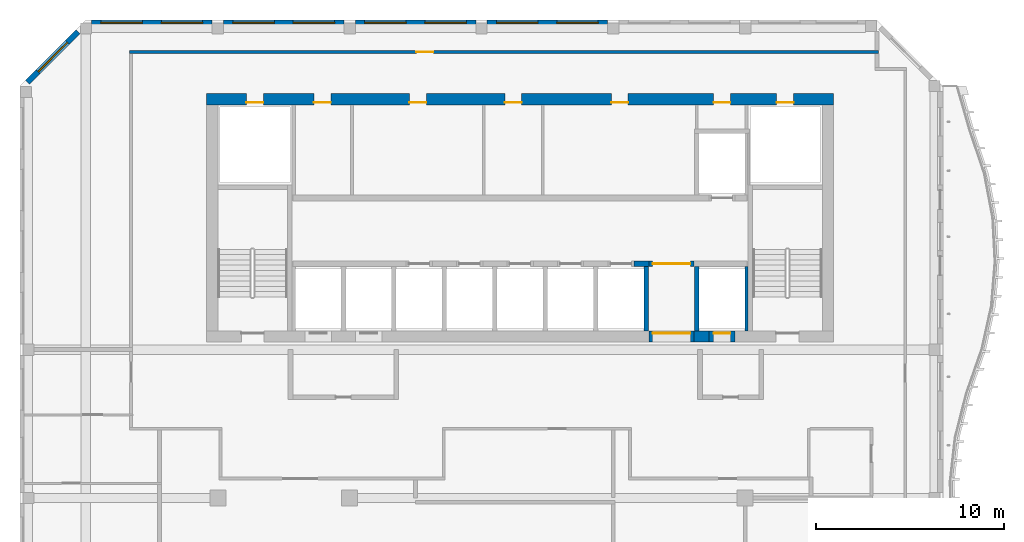
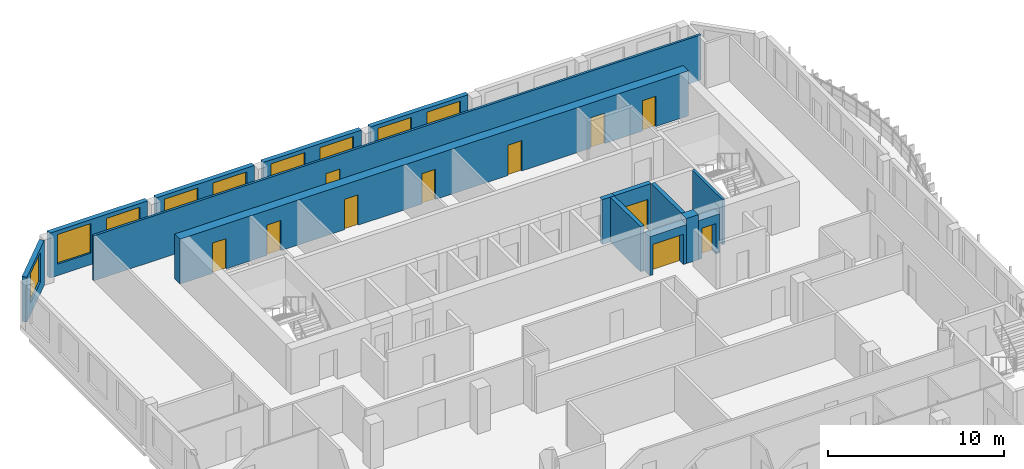
# One storey, part 7 of 17: 15 walls, 11 doors, 9 windows, 20 openings.
"""IFC4 building model written with IfcOpenShell, lengths in metres."""

from ifc_helpers import new_model, si_unit, direction, frame, frame_2d, origin, place, context, subcontext, project, spatial, rectangle, extrude, source, transform, mapped, material, layer, layer_set, type_object, element, fill, save


model = new_model("IFC4")

# Units and contexts
model_context = context("Model", 3, precision=1e-05, world=origin(), true_north=direction((0.0, 1.0)))
body_context = subcontext(model_context, "Body", "Model", "MODEL_VIEW")
ifc_project = project(units=[si_unit("LENGTHUNIT", "METRE"), si_unit("AREAUNIT", "SQUARE_METRE"), si_unit("VOLUMEUNIT", "CUBIC_METRE"), si_unit("PLANEANGLEUNIT", "RADIAN"), si_unit("MASSUNIT", "GRAM", prefix="KILO")], contexts=[model_context])

# Site, building, storey
site_placement = place(None, origin())
site = spatial("IfcSite", under=ifc_project, at=site_placement, CompositionType="ELEMENT")
building_placement = place(site_placement, origin())
building = spatial("IfcBuilding", under=site, at=building_placement, Name="Kilnfold Tower and Market Hall", CompositionType="ELEMENT")
storey_placement = place(building_placement, frame((0.0, 0.0, 298.39990234375)))
storey = spatial("IfcBuildingStorey", under=building, at=storey_placement, Name="L74", CompositionType="ELEMENT", Elevation=298.39990234375)

# Wall, opening, door
ifc_material_1 = material(Name="Gypsum board on steel studs", Category="steel")
ifc_layer_1 = layer(ifc_material_1, 0.14990234375)
ifc_layer_set_1 = layer_set([ifc_layer_1], Name="Gypsum board on steel studs")
wall_type_1 = type_object("IfcWallType", Name="WALL CORRIDOR 150", PredefinedType="PARTITIONING", material=ifc_layer_set_1)
wall_1_placement = place(storey_placement, frame((20.087890625, 23.800048828125, 0.0), z_axis=(0.0, 0.0, 1.0), x_axis=(-1.0, 0.0, 0.0)))
wall_1 = element("IfcWall", 1, at=wall_1_placement, inside=storey, type_object=wall_type_1, Name="Partition LY45.8", PredefinedType="PARTITIONING", context=body_context, shape_type="SweptSolid", body=[
    extrude(rectangle(XDim=39.762939453125, YDim=0.14990234375, at=frame_2d((19.88134765625, 0.0))), origin(), (0.0, 0.0, 1.0), 3.1201171875),
])
opening_1_placement = place(wall_1_placement, frame((23.637939453125, 0.0, 0.0)))
opening_1 = element("IfcOpeningElement", 2, at=opening_1_placement, cuts=wall_1, Name="Opening D2", PredefinedType="OPENING", context=body_context, shape_type="SweptSolid", body=[
    extrude(rectangle(XDim=0.89990234375, YDim=2.10009765625, at=frame_2d((0.449951171875, 1.050048828125))), frame((0.0, 0.0849609375, 0.0), z_axis=(0.0, -1.0, 0.0), x_axis=(1.0, 0.0, 0.0)), (0.0, 0.0, 1.0), 0.169921875),
])
ifc_material_2 = material(Name="Timber veneer door leaf in steel frame", Category="steel")
door_type_1 = type_object("IfcDoorType", Name="DOOR ROOM 900 X2100", OperationType="NOTDEFINED", PredefinedType="DOOR", material=ifc_material_2)
door_1_placement = place(opening_1_placement, origin())
door_1 = element("IfcDoor", 3, at=door_1_placement, inside=storey, type_object=door_type_1, Name="Door D2", OperationType="SINGLE_SWING_LEFT", OverallHeight=2.10009765625, OverallWidth=0.89990234375, PredefinedType="DOOR", context=body_context, shape_type="SweptSolid", body=[
    extrude(rectangle(XDim=0.89990234375, YDim=2.10009765625, at=frame_2d((0.449951171875, 1.050048828125))), frame((0.0, 0.02490234375, 0.0), z_axis=(0.0, -1.0, 0.0), x_axis=(1.0, 0.0, 0.0)), (0.0, 0.0, 1.0), 0.050048828125),
])
fill(opening_1, door_1)

# Walls
ifc_material_3 = material(Name="Concrete C50", Category="concrete")
ifc_layer_2 = layer(ifc_material_3, 0.300048828125)
ifc_layer_set_2 = layer_set([ifc_layer_2], Name="Concrete C50")
wall_type_2 = type_object("IfcWallType", Name="CORE WALL 300 C50", PredefinedType="SHEAR", material=ifc_layer_set_2)
shared_shape_1 = source(origin(), body_context, "Body", "SweptSolid", [
    extrude(rectangle(XDim=0.77978515625, YDim=0.300048828125, at=frame_2d((0.389892578125, 0.0))), origin(), (0.0, 0.0, 1.0), 3.1201171875),
])
wall_2_placement = place(storey_placement, frame((7.110107421875, 12.550048828125, 0.0), z_axis=(0.0, 0.0, 1.0), x_axis=(1.0, 0.0, 0.0)))
element("IfcWall", 4, at=wall_2_placement, inside=storey, type_object=wall_type_2, Name="Core spine wall", PredefinedType="SHEAR", context=body_context, shape_type="MappedRepresentation", body=[
    mapped(shared_shape_1, transform((0.0, 0.0, 0.0))),
])
ifc_material_4 = material(Name="Concrete C50", Category="concrete")
ifc_layer_3 = layer(ifc_material_4, 0.60009765625)
ifc_layer_set_3 = layer_set([ifc_layer_3], Name="Concrete C50")
wall_type_3 = type_object("IfcWallType", Name="CORE WALL 600 C50", PredefinedType="SHEAR", material=ifc_layer_set_3)
shared_shape_2 = source(origin(), body_context, "Body", "SweptSolid", [
    extrude(rectangle(XDim=0.780029296875, YDim=0.60009765625, at=frame_2d((0.39013671875, 0.0))), origin(), (0.0, 0.0, 1.0), 3.1201171875),
])
wall_3_placement = place(storey_placement, frame((10.2900390625, 8.699951171875, 0.0), z_axis=(0.0, 0.0, 1.0), x_axis=(1.0, 0.0, 0.0)))
element("IfcWall", 5, at=wall_3_placement, inside=storey, type_object=wall_type_3, Name="Core outer wall south", PredefinedType="SHEAR", context=body_context, shape_type="MappedRepresentation", body=[
    mapped(shared_shape_2, transform((0.0, 0.0, 0.0))),
])

# Wall, openings, doors
shared_shape_3 = source(origin(), body_context, "Body", "SweptSolid", [
    extrude(rectangle(XDim=33.300048828125, YDim=0.60009765625, at=frame_2d((16.64990234375, 0.0))), origin(), (0.0, 0.0, 1.0), 3.1201171875),
])
wall_4_placement = place(storey_placement, frame((-15.60009765625, 21.300048828125, 0.0), z_axis=(0.0, 0.0, 1.0), x_axis=(1.0, 0.0, 0.0)))
wall_4 = element("IfcWall", 6, at=wall_4_placement, inside=storey, type_object=wall_type_3, Name="Core outer wall north", PredefinedType="SHEAR", context=body_context, shape_type="MappedRepresentation", body=[
    mapped(shared_shape_3, transform((0.0, 0.0, 0.0))),
])
opening_2_placement = place(wall_4_placement, frame((5.707763671875, 0.0, 0.0)))
opening_2 = element("IfcOpeningElement", 7, at=opening_2_placement, cuts=wall_4, Name="Opening KD1", PredefinedType="OPENING", context=body_context, shape_type="SweptSolid", body=[
    extrude(rectangle(XDim=0.89990234375, YDim=2.10009765625, at=frame_2d((0.449951171875, 1.050048828125))), frame((0.0, 0.31005859375, 0.0), z_axis=(0.0, -1.0, 0.0), x_axis=(1.0, 0.0, 0.0)), (0.0, 0.0, 1.0), 0.6201171875),
])
opening_3_placement = place(wall_4_placement, frame((10.77294921875, 0.0, 0.0)))
opening_3 = element("IfcOpeningElement", 8, at=opening_3_placement, cuts=wall_4, Name="Opening KD1", PredefinedType="OPENING", context=body_context, shape_type="SweptSolid", body=[
    extrude(rectangle(XDim=0.89990234375, YDim=2.10009765625, at=frame_2d((0.449951171875, 1.050048828125))), frame((0.0, 0.31005859375, 0.0), z_axis=(0.0, -1.0, 0.0), x_axis=(1.0, 0.0, 0.0)), (0.0, 0.0, 1.0), 0.6201171875),
])
opening_4_placement = place(wall_4_placement, frame((15.838134765625, 0.0, 0.0)))
opening_4 = element("IfcOpeningElement", 9, at=opening_4_placement, cuts=wall_4, Name="Opening KD1", PredefinedType="OPENING", context=body_context, shape_type="SweptSolid", body=[
    extrude(rectangle(XDim=0.89990234375, YDim=2.10009765625, at=frame_2d((0.449951171875, 1.050048828125))), frame((0.0, 0.31005859375, 0.0), z_axis=(0.0, -1.0, 0.0), x_axis=(1.0, 0.0, 0.0)), (0.0, 0.0, 1.0), 0.6201171875),
])
opening_5_placement = place(wall_4_placement, frame((21.492919921875, 0.0, 0.0)))
opening_5 = element("IfcOpeningElement", 10, at=opening_5_placement, cuts=wall_4, Name="Opening KD1", PredefinedType="OPENING", context=body_context, shape_type="SweptSolid", body=[
    extrude(rectangle(XDim=0.89990234375, YDim=2.10009765625, at=frame_2d((0.449951171875, 1.050048828125))), frame((0.0, 0.31005859375, 0.0), z_axis=(0.0, -1.0, 0.0), x_axis=(1.0, 0.0, 0.0)), (0.0, 0.0, 1.0), 0.6201171875),
])
opening_6_placement = place(wall_4_placement, frame((26.919921875, 0.0, 0.0)))
opening_6 = element("IfcOpeningElement", 11, at=opening_6_placement, cuts=wall_4, Name="Opening KD1", PredefinedType="OPENING", context=body_context, shape_type="SweptSolid", body=[
    extrude(rectangle(XDim=0.89990234375, YDim=2.10009765625, at=frame_2d((0.449951171875, 1.050048828125))), frame((0.0, 0.31005859375, 0.0), z_axis=(0.0, -1.0, 0.0), x_axis=(1.0, 0.0, 0.0)), (0.0, 0.0, 1.0), 0.6201171875),
])
opening_7_placement = place(wall_4_placement, frame((2.125, 0.0, 0.0)))
opening_7 = element("IfcOpeningElement", 12, at=opening_7_placement, cuts=wall_4, Name="Opening KD1", PredefinedType="OPENING", context=body_context, shape_type="SweptSolid", body=[
    extrude(rectangle(XDim=0.89990234375, YDim=2.10009765625, at=frame_2d((0.449951171875, 1.050048828125))), frame((0.0, 0.31005859375, 0.0), z_axis=(0.0, -1.0, 0.0), x_axis=(1.0, 0.0, 0.0)), (0.0, 0.0, 1.0), 0.6201171875),
])
opening_8_placement = place(wall_4_placement, frame((30.27490234375, 0.0, 0.0)))
opening_8 = element("IfcOpeningElement", 13, at=opening_8_placement, cuts=wall_4, Name="Opening KD1", PredefinedType="OPENING", context=body_context, shape_type="SweptSolid", body=[
    extrude(rectangle(XDim=0.89990234375, YDim=2.10009765625, at=frame_2d((0.449951171875, 1.050048828125))), frame((0.0, 0.31005859375, 0.0), z_axis=(0.0, -1.0, 0.0), x_axis=(1.0, 0.0, 0.0)), (0.0, 0.0, 1.0), 0.6201171875),
])
ifc_material_5 = material(Name="Steel door set with fire-resisting leaf", Category="steel")
door_type_2 = type_object("IfcDoorType", Name="SERVICE DOOR 900X2100", OperationType="NOTDEFINED", PredefinedType="DOOR", material=ifc_material_5)
door_2_placement = place(opening_2_placement, origin())
door_2 = element("IfcDoor", 14, at=door_2_placement, inside=storey, type_object=door_type_2, Name="Core service door", OperationType="SINGLE_SWING_RIGHT", OverallHeight=2.10009765625, OverallWidth=0.89990234375, PredefinedType="DOOR", context=body_context, shape_type="SweptSolid", body=[
    extrude(rectangle(XDim=0.89990234375, YDim=2.10009765625, at=frame_2d((0.449951171875, 1.050048828125))), frame((0.0, -0.15478515625, 0.0), z_axis=(0.0, -1.0, 0.0), x_axis=(1.0, 0.0, 0.0)), (0.0, 0.0, 1.0), 0.050048828125),
])
fill(opening_2, door_2)
door_3_placement = place(opening_3_placement, origin())
door_3 = element("IfcDoor", 15, at=door_3_placement, inside=storey, type_object=door_type_2, Name="Core service door", OperationType="SINGLE_SWING_LEFT", OverallHeight=2.10009765625, OverallWidth=0.89990234375, PredefinedType="DOOR", context=body_context, shape_type="SweptSolid", body=[
    extrude(rectangle(XDim=0.89990234375, YDim=2.10009765625, at=frame_2d((0.449951171875, 1.050048828125))), frame((0.0, -0.15478515625, 0.0), z_axis=(0.0, -1.0, 0.0), x_axis=(1.0, 0.0, 0.0)), (0.0, 0.0, 1.0), 0.050048828125),
])
fill(opening_3, door_3)
door_4_placement = place(opening_4_placement, origin())
door_4 = element("IfcDoor", 16, at=door_4_placement, inside=storey, type_object=door_type_2, Name="Core service door", OperationType="SINGLE_SWING_RIGHT", OverallHeight=2.10009765625, OverallWidth=0.89990234375, PredefinedType="DOOR", context=body_context, shape_type="SweptSolid", body=[
    extrude(rectangle(XDim=0.89990234375, YDim=2.10009765625, at=frame_2d((0.449951171875, 1.050048828125))), frame((0.0, -0.15478515625, 0.0), z_axis=(0.0, -1.0, 0.0), x_axis=(1.0, 0.0, 0.0)), (0.0, 0.0, 1.0), 0.050048828125),
])
fill(opening_4, door_4)
door_5_placement = place(opening_5_placement, origin())
door_5 = element("IfcDoor", 17, at=door_5_placement, inside=storey, type_object=door_type_2, Name="Core service door", OperationType="SINGLE_SWING_LEFT", OverallHeight=2.10009765625, OverallWidth=0.89990234375, PredefinedType="DOOR", context=body_context, shape_type="SweptSolid", body=[
    extrude(rectangle(XDim=0.89990234375, YDim=2.10009765625, at=frame_2d((0.449951171875, 1.050048828125))), frame((0.0, -0.15478515625, 0.0), z_axis=(0.0, -1.0, 0.0), x_axis=(1.0, 0.0, 0.0)), (0.0, 0.0, 1.0), 0.050048828125),
])
fill(opening_5, door_5)
door_6_placement = place(opening_6_placement, origin())
door_6 = element("IfcDoor", 18, at=door_6_placement, inside=storey, type_object=door_type_2, Name="Core service door", OperationType="SINGLE_SWING_RIGHT", OverallHeight=2.10009765625, OverallWidth=0.89990234375, PredefinedType="DOOR", context=body_context, shape_type="SweptSolid", body=[
    extrude(rectangle(XDim=0.89990234375, YDim=2.10009765625, at=frame_2d((0.449951171875, 1.050048828125))), frame((0.0, -0.15478515625, 0.0), z_axis=(0.0, -1.0, 0.0), x_axis=(1.0, 0.0, 0.0)), (0.0, 0.0, 1.0), 0.050048828125),
])
fill(opening_6, door_6)
door_7_placement = place(opening_7_placement, origin())
door_7 = element("IfcDoor", 19, at=door_7_placement, inside=storey, type_object=door_type_2, Name="Electrical riser access door", OperationType="SINGLE_SWING_LEFT", OverallHeight=2.10009765625, OverallWidth=0.89990234375, PredefinedType="DOOR", context=body_context, shape_type="SweptSolid", body=[
    extrude(rectangle(XDim=0.89990234375, YDim=2.10009765625, at=frame_2d((0.449951171875, 1.050048828125))), frame((0.0, -0.15478515625, 0.0), z_axis=(0.0, -1.0, 0.0), x_axis=(1.0, 0.0, 0.0)), (0.0, 0.0, 1.0), 0.050048828125),
])
fill(opening_7, door_7)
door_8_placement = place(opening_8_placement, origin())
door_8 = element("IfcDoor", 20, at=door_8_placement, inside=storey, type_object=door_type_2, Name="Mechanical riser access door", OperationType="SINGLE_SWING_RIGHT", OverallHeight=2.10009765625, OverallWidth=0.89990234375, PredefinedType="DOOR", context=body_context, shape_type="SweptSolid", body=[
    extrude(rectangle(XDim=0.89990234375, YDim=2.10009765625, at=frame_2d((0.449951171875, 1.050048828125))), frame((0.0, -0.15478515625, 0.0), z_axis=(0.0, -1.0, 0.0), x_axis=(1.0, 0.0, 0.0)), (0.0, 0.0, 1.0), 0.050048828125),
])
fill(opening_8, door_8)

# Wall, openings, windows
ifc_material_6 = material(Name="Precast concrete C50/60", Category="concrete")
ifc_layer_4 = layer(ifc_material_6, 0.300048828125)
ifc_layer_set_4 = layer_set([ifc_layer_4], Name="Precast concrete C50/60")
wall_type_4 = type_object("IfcWallType", Name="PRECAST WALL 300", PredefinedType="SOLIDWALL", material=ifc_layer_set_4)
shared_shape_4 = source(origin(), body_context, "Body", "SweptSolid", [
    extrude(rectangle(XDim=6.39990234375, YDim=0.300048828125, at=frame_2d((3.199951171875, 0.0))), origin(), (0.0, 0.0, 1.0), 3.1201171875),
])
wall_5_placement = place(storey_placement, frame((5.699951171875, 25.35009765625, 0.0), z_axis=(0.0, 0.0, 1.0), x_axis=(-1.0, 0.0, 0.0)))
wall_5 = element("IfcWall", 21, at=wall_5_placement, inside=storey, type_object=wall_type_4, Name="External wall L74 N", PredefinedType="SOLIDWALL", context=body_context, shape_type="MappedRepresentation", body=[
    mapped(shared_shape_4, transform((0.0, 0.0, 0.0))),
])
opening_9_placement = place(wall_5_placement, frame((0.5, 0.0, 0.800048828125)))
opening_9 = element("IfcOpeningElement", 22, at=opening_9_placement, cuts=wall_5, Name="Opening W3", PredefinedType="OPENING", context=body_context, shape_type="SweptSolid", body=[
    extrude(rectangle(XDim=2.199951171875, YDim=2.050048828125, at=frame_2d((1.10009765625, 1.02490234375))), frame((0.0, 0.16015625, 0.0), z_axis=(0.0, -1.0, 0.0), x_axis=(1.0, 0.0, 0.0)), (0.0, 0.0, 1.0), 0.320068359375),
])
opening_10_placement = place(wall_5_placement, frame((3.699951171875, 0.0, 0.800048828125)))
opening_10 = element("IfcOpeningElement", 23, at=opening_10_placement, cuts=wall_5, Name="Opening W3", PredefinedType="OPENING", context=body_context, shape_type="SweptSolid", body=[
    extrude(rectangle(XDim=2.199951171875, YDim=2.050048828125, at=frame_2d((1.10009765625, 1.02490234375))), frame((0.0, 0.16015625, 0.0), z_axis=(0.0, -1.0, 0.0), x_axis=(1.0, 0.0, 0.0)), (0.0, 0.0, 1.0), 0.320068359375),
])
ifc_material_7 = material(Name="Aluminium frame and double glazing", Category="aluminium")
window_type = type_object("IfcWindowType", Name="WINDOW W3 2200X2050", PartitioningType="SINGLE_PANEL", PredefinedType="WINDOW", material=ifc_material_7)
window_1_placement = place(opening_9_placement, origin())
window_1 = element("IfcWindow", 24, at=window_1_placement, inside=storey, type_object=window_type, Name="Window W3 L74 N-1", OverallHeight=2.050048828125, OverallWidth=2.199951171875, PartitioningType="SINGLE_PANEL", PredefinedType="WINDOW", context=body_context, shape_type="SweptSolid", body=[
    extrude(rectangle(XDim=2.199951171875, YDim=2.050048828125, at=frame_2d((1.10009765625, 1.02490234375))), frame((0.0, 0.030029296875, 0.0), z_axis=(0.0, -1.0, 0.0), x_axis=(1.0, 0.0, 0.0)), (0.0, 0.0, 1.0), 0.06005859375),
])
fill(opening_9, window_1)
window_2_placement = place(opening_10_placement, origin())
window_2 = element("IfcWindow", 25, at=window_2_placement, inside=storey, type_object=window_type, Name="Window W3 L74 N-2", OverallHeight=2.050048828125, OverallWidth=2.199951171875, PartitioningType="SINGLE_PANEL", PredefinedType="WINDOW", context=body_context, shape_type="SweptSolid", body=[
    extrude(rectangle(XDim=2.199951171875, YDim=2.050048828125, at=frame_2d((1.10009765625, 1.02490234375))), frame((0.0, 0.030029296875, 0.0), z_axis=(0.0, -1.0, 0.0), x_axis=(1.0, 0.0, 0.0)), (0.0, 0.0, 1.0), 0.06005859375),
])
fill(opening_10, window_2)

wall_6_placement = place(storey_placement, frame((-1.300048828125, 25.35009765625, 0.0), z_axis=(0.0, 0.0, 1.0), x_axis=(-1.0, 0.0, 0.0)))
wall_6 = element("IfcWall", 26, at=wall_6_placement, inside=storey, type_object=wall_type_4, Name="External wall L74 N", PredefinedType="SOLIDWALL", context=body_context, shape_type="MappedRepresentation", body=[
    mapped(shared_shape_4, transform((0.0, 0.0, 0.0))),
])
opening_11_placement = place(wall_6_placement, frame((0.5, 0.0, 0.800048828125)))
opening_11 = element("IfcOpeningElement", 27, at=opening_11_placement, cuts=wall_6, Name="Opening W3", PredefinedType="OPENING", context=body_context, shape_type="SweptSolid", body=[
    extrude(rectangle(XDim=2.199951171875, YDim=2.050048828125, at=frame_2d((1.10009765625, 1.02490234375))), frame((0.0, 0.16015625, 0.0), z_axis=(0.0, -1.0, 0.0), x_axis=(1.0, 0.0, 0.0)), (0.0, 0.0, 1.0), 0.320068359375),
])
opening_12_placement = place(wall_6_placement, frame((3.699951171875, 0.0, 0.800048828125)))
opening_12 = element("IfcOpeningElement", 28, at=opening_12_placement, cuts=wall_6, Name="Opening W3", PredefinedType="OPENING", context=body_context, shape_type="SweptSolid", body=[
    extrude(rectangle(XDim=2.199951171875, YDim=2.050048828125, at=frame_2d((1.10009765625, 1.02490234375))), frame((0.0, 0.16015625, 0.0), z_axis=(0.0, -1.0, 0.0), x_axis=(1.0, 0.0, 0.0)), (0.0, 0.0, 1.0), 0.320068359375),
])
window_3_placement = place(opening_11_placement, origin())
window_3 = element("IfcWindow", 29, at=window_3_placement, inside=storey, type_object=window_type, Name="Window W3 L74 N-1", OverallHeight=2.050048828125, OverallWidth=2.199951171875, PartitioningType="SINGLE_PANEL", PredefinedType="WINDOW", context=body_context, shape_type="SweptSolid", body=[
    extrude(rectangle(XDim=2.199951171875, YDim=2.050048828125, at=frame_2d((1.10009765625, 1.02490234375))), frame((0.0, 0.030029296875, 0.0), z_axis=(0.0, -1.0, 0.0), x_axis=(1.0, 0.0, 0.0)), (0.0, 0.0, 1.0), 0.06005859375),
])
fill(opening_11, window_3)
window_4_placement = place(opening_12_placement, origin())
window_4 = element("IfcWindow", 30, at=window_4_placement, inside=storey, type_object=window_type, Name="Window W3 L74 N-2", OverallHeight=2.050048828125, OverallWidth=2.199951171875, PartitioningType="SINGLE_PANEL", PredefinedType="WINDOW", context=body_context, shape_type="SweptSolid", body=[
    extrude(rectangle(XDim=2.199951171875, YDim=2.050048828125, at=frame_2d((1.10009765625, 1.02490234375))), frame((0.0, 0.030029296875, 0.0), z_axis=(0.0, -1.0, 0.0), x_axis=(1.0, 0.0, 0.0)), (0.0, 0.0, 1.0), 0.06005859375),
])
fill(opening_12, window_4)

wall_7_placement = place(storey_placement, frame((-8.300048828125, 25.35009765625, 0.0), z_axis=(0.0, 0.0, 1.0), x_axis=(-1.0, 0.0, 0.0)))
wall_7 = element("IfcWall", 31, at=wall_7_placement, inside=storey, type_object=wall_type_4, Name="External wall L74 N", PredefinedType="SOLIDWALL", context=body_context, shape_type="MappedRepresentation", body=[
    mapped(shared_shape_4, transform((0.0, 0.0, 0.0))),
])
opening_13_placement = place(wall_7_placement, frame((0.5, 0.0, 0.800048828125)))
opening_13 = element("IfcOpeningElement", 32, at=opening_13_placement, cuts=wall_7, Name="Opening W3", PredefinedType="OPENING", context=body_context, shape_type="SweptSolid", body=[
    extrude(rectangle(XDim=2.199951171875, YDim=2.050048828125, at=frame_2d((1.10009765625, 1.02490234375))), frame((0.0, 0.16015625, 0.0), z_axis=(0.0, -1.0, 0.0), x_axis=(1.0, 0.0, 0.0)), (0.0, 0.0, 1.0), 0.320068359375),
])
opening_14_placement = place(wall_7_placement, frame((3.699951171875, 0.0, 0.800048828125)))
opening_14 = element("IfcOpeningElement", 33, at=opening_14_placement, cuts=wall_7, Name="Opening W3", PredefinedType="OPENING", context=body_context, shape_type="SweptSolid", body=[
    extrude(rectangle(XDim=2.199951171875, YDim=2.050048828125, at=frame_2d((1.10009765625, 1.02490234375))), frame((0.0, 0.16015625, 0.0), z_axis=(0.0, -1.0, 0.0), x_axis=(1.0, 0.0, 0.0)), (0.0, 0.0, 1.0), 0.320068359375),
])
window_5_placement = place(opening_13_placement, origin())
window_5 = element("IfcWindow", 34, at=window_5_placement, inside=storey, type_object=window_type, Name="Window W3 L74 N-1", OverallHeight=2.050048828125, OverallWidth=2.199951171875, PartitioningType="SINGLE_PANEL", PredefinedType="WINDOW", context=body_context, shape_type="SweptSolid", body=[
    extrude(rectangle(XDim=2.199951171875, YDim=2.050048828125, at=frame_2d((1.10009765625, 1.02490234375))), frame((0.0, 0.030029296875, 0.0), z_axis=(0.0, -1.0, 0.0), x_axis=(1.0, 0.0, 0.0)), (0.0, 0.0, 1.0), 0.06005859375),
])
fill(opening_13, window_5)
window_6_placement = place(opening_14_placement, origin())
window_6 = element("IfcWindow", 35, at=window_6_placement, inside=storey, type_object=window_type, Name="Window W3 L74 N-2", OverallHeight=2.050048828125, OverallWidth=2.199951171875, PartitioningType="SINGLE_PANEL", PredefinedType="WINDOW", context=body_context, shape_type="SweptSolid", body=[
    extrude(rectangle(XDim=2.199951171875, YDim=2.050048828125, at=frame_2d((1.10009765625, 1.02490234375))), frame((0.0, 0.030029296875, 0.0), z_axis=(0.0, -1.0, 0.0), x_axis=(1.0, 0.0, 0.0)), (0.0, 0.0, 1.0), 0.06005859375),
])
fill(opening_14, window_6)

wall_8_placement = place(storey_placement, frame((-15.300048828125, 25.35009765625, 0.0), z_axis=(0.0, 0.0, 1.0), x_axis=(-1.0, 0.0, 0.0)))
wall_8 = element("IfcWall", 36, at=wall_8_placement, inside=storey, type_object=wall_type_4, Name="External wall L74 N", PredefinedType="SOLIDWALL", context=body_context, shape_type="MappedRepresentation", body=[
    mapped(shared_shape_4, transform((0.0, 0.0, 0.0))),
])
opening_15_placement = place(wall_8_placement, frame((0.5, 0.0, 0.800048828125)))
opening_15 = element("IfcOpeningElement", 37, at=opening_15_placement, cuts=wall_8, Name="Opening W3", PredefinedType="OPENING", context=body_context, shape_type="SweptSolid", body=[
    extrude(rectangle(XDim=2.199951171875, YDim=2.050048828125, at=frame_2d((1.10009765625, 1.02490234375))), frame((0.0, 0.16015625, 0.0), z_axis=(0.0, -1.0, 0.0), x_axis=(1.0, 0.0, 0.0)), (0.0, 0.0, 1.0), 0.320068359375),
])
opening_16_placement = place(wall_8_placement, frame((3.699951171875, 0.0, 0.800048828125)))
opening_16 = element("IfcOpeningElement", 38, at=opening_16_placement, cuts=wall_8, Name="Opening W3", PredefinedType="OPENING", context=body_context, shape_type="SweptSolid", body=[
    extrude(rectangle(XDim=2.199951171875, YDim=2.050048828125, at=frame_2d((1.10009765625, 1.02490234375))), frame((0.0, 0.16015625, 0.0), z_axis=(0.0, -1.0, 0.0), x_axis=(1.0, 0.0, 0.0)), (0.0, 0.0, 1.0), 0.320068359375),
])
window_7_placement = place(opening_15_placement, origin())
window_7 = element("IfcWindow", 39, at=window_7_placement, inside=storey, type_object=window_type, Name="Window W3 L74 N-1", OverallHeight=2.050048828125, OverallWidth=2.199951171875, PartitioningType="SINGLE_PANEL", PredefinedType="WINDOW", context=body_context, shape_type="SweptSolid", body=[
    extrude(rectangle(XDim=2.199951171875, YDim=2.050048828125, at=frame_2d((1.10009765625, 1.02490234375))), frame((0.0, 0.030029296875, 0.0), z_axis=(0.0, -1.0, 0.0), x_axis=(1.0, 0.0, 0.0)), (0.0, 0.0, 1.0), 0.06005859375),
])
fill(opening_15, window_7)
window_8_placement = place(opening_16_placement, origin())
window_8 = element("IfcWindow", 40, at=window_8_placement, inside=storey, type_object=window_type, Name="Window W3 L74 N-2", OverallHeight=2.050048828125, OverallWidth=2.199951171875, PartitioningType="SINGLE_PANEL", PredefinedType="WINDOW", context=body_context, shape_type="SweptSolid", body=[
    extrude(rectangle(XDim=2.199951171875, YDim=2.050048828125, at=frame_2d((1.10009765625, 1.02490234375))), frame((0.0, 0.030029296875, 0.0), z_axis=(0.0, -1.0, 0.0), x_axis=(1.0, 0.0, 0.0)), (0.0, 0.0, 1.0), 0.06005859375),
])
fill(opening_16, window_8)

# Wall, opening, window
shared_shape_5 = source(origin(), body_context, "Body", "SweptSolid", [
    extrude(rectangle(XDim=3.783203125, YDim=0.300048828125, at=frame_2d((1.8916015625, 0.0))), origin(), (0.0, 0.0, 1.0), 3.1201171875),
])
wall_9_placement = place(storey_placement, frame((-22.4189453125, 24.868896484375, 0.0), z_axis=(0.0, 0.0, 1.0), x_axis=(-0.707106781187, -0.707106781187, 0.0)))
wall_9 = element("IfcWall", 41, at=wall_9_placement, inside=storey, type_object=wall_type_4, Name="External wall L74 NW", PredefinedType="SOLIDWALL", context=body_context, shape_type="MappedRepresentation", body=[
    mapped(shared_shape_5, transform((0.0, 0.0, 0.0))),
])
opening_17_placement = place(wall_9_placement, frame((0.79150390625, 0.0, 0.800048828125)))
opening_17 = element("IfcOpeningElement", 42, at=opening_17_placement, cuts=wall_9, Name="Opening W3", PredefinedType="OPENING", context=body_context, shape_type="SweptSolid", body=[
    extrude(rectangle(XDim=2.199951171875, YDim=2.050048828125, at=frame_2d((1.10009765625, 1.02490234375))), frame((0.0, 0.16015625, 0.0), z_axis=(0.0, -1.0, 0.0), x_axis=(1.0, 0.0, 0.0)), (0.0, 0.0, 1.0), 0.320068359375),
])
window_9_placement = place(opening_17_placement, origin())
window_9 = element("IfcWindow", 43, at=window_9_placement, inside=storey, type_object=window_type, Name="Window W3 L74 NW-1", OverallHeight=2.050048828125, OverallWidth=2.199951171875, PartitioningType="SINGLE_PANEL", PredefinedType="WINDOW", context=body_context, shape_type="SweptSolid", body=[
    extrude(rectangle(XDim=2.199951171875, YDim=2.050048828125, at=frame_2d((1.10009765625, 1.02490234375))), frame((0.0, 0.030029296875, 0.0), z_axis=(0.0, -1.0, 0.0), x_axis=(1.0, 0.0, 0.0)), (0.0, 0.0, 1.0), 0.06005859375),
])
fill(opening_17, window_9)

# Wall, opening, door
ifc_material_8 = material(Name="Gypsum shaft wall system")
ifc_layer_5 = layer(ifc_material_8, 0.300048828125)
ifc_layer_set_5 = layer_set([ifc_layer_5], Name="Gypsum shaft wall system")
wall_type_5 = type_object("IfcWallType", Name="SHAFT WALL 300", PredefinedType="PARTITIONING", material=ifc_layer_set_5)
shared_shape_6 = source(origin(), body_context, "Body", "SweptSolid", [
    extrude(rectangle(XDim=2.400146484375, YDim=0.300048828125, at=frame_2d((1.2001953125, 0.0))), origin(), (0.0, 0.0, 1.0), 3.1201171875),
])
wall_10_placement = place(storey_placement, frame((7.889892578125, 12.550048828125, 0.0), z_axis=(0.0, 0.0, 1.0), x_axis=(1.0, 0.0, 0.0)))
wall_10 = element("IfcWall", 44, at=wall_10_placement, inside=storey, type_object=wall_type_5, Name="Lift shaft front wall", PredefinedType="PARTITIONING", context=body_context, shape_type="MappedRepresentation", body=[
    mapped(shared_shape_6, transform((0.0, 0.0, 0.0))),
])
opening_18_placement = place(wall_10_placement, frame((0.199951171875, 0.0, 0.0)))
opening_18 = element("IfcOpeningElement", 45, at=opening_18_placement, cuts=wall_10, Name="Opening VD2", PredefinedType="OPENING", context=body_context, shape_type="SweptSolid", body=[
    extrude(rectangle(XDim=2.0, YDim=2.10009765625, at=frame_2d((1.0, 1.050048828125))), frame((0.0, 0.16015625, 0.0), z_axis=(0.0, -1.0, 0.0), x_axis=(1.0, 0.0, 0.0)), (0.0, 0.0, 1.0), 0.320068359375),
])
ifc_material_9 = material(Name="Steel door set with fire-resisting leaf", Category="steel")
door_type_3 = type_object("IfcDoorType", Name="LIFT LOBBY ENTRANCE DOOR 2000X2100", OperationType="NOTDEFINED", PredefinedType="DOOR", material=ifc_material_9)
door_9_placement = place(opening_18_placement, origin())
door_9 = element("IfcDoor", 46, at=door_9_placement, inside=storey, type_object=door_type_3, Name="Lift lobby entrance door", OperationType="DOUBLE_DOOR_SINGLE_SWING", OverallHeight=2.10009765625, OverallWidth=2.0, PredefinedType="DOOR", context=body_context, shape_type="SweptSolid", body=[
    extrude(rectangle(XDim=2.0, YDim=2.10009765625, at=frame_2d((1.0, 1.050048828125))), frame((0.0, 0.02490234375, 0.0), z_axis=(0.0, -1.0, 0.0), x_axis=(1.0, 0.0, 0.0)), (0.0, 0.0, 1.0), 0.050048828125),
])
fill(opening_18, door_9)

# Walls
ifc_material_10 = material(Name="Gypsum shaft wall system")
ifc_layer_6 = layer(ifc_material_10, 0.25)
ifc_layer_set_6 = layer_set([ifc_layer_6], Name="Gypsum shaft wall system")
wall_type_6 = type_object("IfcWallType", Name="SHAFT WALL 250", PredefinedType="PARTITIONING", material=ifc_layer_set_6)
shared_shape_7 = source(origin(), body_context, "Body", "SweptSolid", [
    extrude(rectangle(XDim=3.39990234375, YDim=0.25, at=frame_2d((1.699951171875, 0.0))), origin(), (0.0, 0.0, 1.0), 3.1201171875),
])
for number, where, z_axis, x_axis, name in (
    (47, (10.429931640625, 9.0, 0.0), (0.0, 0.0, 1.0), (0.0, 1.0, 0.0), "Lift shaft wall"),
    (48, (7.75, 9.0, 0.0), (0.0, 0.0, 1.0), (0.0, 1.0, 0.0), "Lift shaft wall"),
):
    element("IfcWall", number, at=place(storey_placement, frame(where, z_axis=z_axis, x_axis=x_axis)), inside=storey, type_object=wall_type_6, Name=name, PredefinedType="PARTITIONING", context=body_context, shape_type="MappedRepresentation", body=[
        mapped(shared_shape_7, transform((0.0, 0.0, 0.0))),
    ])
ifc_material_11 = material(Name="Gypsum shaft wall system")
ifc_layer_7 = layer(ifc_material_11, 0.1650390625)
ifc_layer_set_7 = layer_set([ifc_layer_7], Name="Gypsum shaft wall system")
wall_type_7 = type_object("IfcWallType", Name="SHAFT WALL 165", PredefinedType="PARTITIONING", material=ifc_layer_set_7)
shared_shape_8 = source(origin(), body_context, "Body", "SweptSolid", [
    extrude(rectangle(XDim=3.39990234375, YDim=0.1650390625, at=frame_2d((1.699951171875, 0.0))), origin(), (0.0, 0.0, 1.0), 3.1201171875),
])
wall_11_placement = place(storey_placement, frame((13.0673828125, 9.0, 0.0), z_axis=(0.0, 0.0, 1.0), x_axis=(0.0, 1.0, 0.0)))
element("IfcWall", 49, at=wall_11_placement, inside=storey, type_object=wall_type_7, Name="Lift shaft wall", PredefinedType="PARTITIONING", context=body_context, shape_type="MappedRepresentation", body=[
    mapped(shared_shape_8, transform((0.0, 0.0, 0.0))),
])

# Wall, opening, door
ifc_material_12 = material(Name="Gypsum shaft wall system")
ifc_layer_8 = layer(ifc_material_12, 0.60009765625)
ifc_layer_set_8 = layer_set([ifc_layer_8], Name="Gypsum shaft wall system")
wall_type_8 = type_object("IfcWallType", Name="LOBBY WALL 600", PredefinedType="PARTITIONING", material=ifc_layer_set_8)
shared_shape_9 = source(origin(), body_context, "Body", "SweptSolid", [
    extrude(rectangle(XDim=1.39990234375, YDim=0.60009765625, at=frame_2d((0.699951171875, 0.0))), origin(), (0.0, 0.0, 1.0), 2.7001953125),
])
wall_12_placement = place(storey_placement, frame((11.070068359375, 8.699951171875, 0.0), z_axis=(0.0, 0.0, 1.0), x_axis=(1.0, 0.0, 0.0)))
wall_12 = element("IfcWall", 50, at=wall_12_placement, inside=storey, type_object=wall_type_8, Name="Core wall infill", PredefinedType="PARTITIONING", context=body_context, shape_type="MappedRepresentation", body=[
    mapped(shared_shape_9, transform((0.0, 0.0, 0.0))),
])
opening_19_placement = place(wall_12_placement, frame((0.25, 0.0, 0.0)))
opening_19 = element("IfcOpeningElement", 51, at=opening_19_placement, cuts=wall_12, Name="Opening LD1", PredefinedType="OPENING", context=body_context, shape_type="SweptSolid", body=[
    extrude(rectangle(XDim=0.89990234375, YDim=2.10009765625, at=frame_2d((0.449951171875, 1.050048828125))), frame((0.0, 0.31005859375, 0.0), z_axis=(0.0, -1.0, 0.0), x_axis=(1.0, 0.0, 0.0)), (0.0, 0.0, 1.0), 0.6201171875),
])
ifc_material_13 = material(Name="Steel door set with fire-resisting leaf", Category="steel")
door_type_4 = type_object("IfcDoorType", Name="FIREFIGHTING LANDING DOOR 900X2100", OperationType="NOTDEFINED", PredefinedType="DOOR", material=ifc_material_13)
door_10_placement = place(opening_19_placement, origin())
door_10 = element("IfcDoor", 52, at=door_10_placement, inside=storey, type_object=door_type_4, Name="Landing door FF3", OperationType="SLIDING_TO_LEFT", OverallHeight=2.10009765625, OverallWidth=0.89990234375, PredefinedType="DOOR", context=body_context, shape_type="SweptSolid", body=[
    extrude(rectangle(XDim=0.89990234375, YDim=2.10009765625, at=frame_2d((0.449951171875, 1.050048828125))), frame((0.0, 0.205078125, 0.0), z_axis=(0.0, -1.0, 0.0), x_axis=(1.0, 0.0, 0.0)), (0.0, 0.0, 1.0), 0.050048828125),
])
fill(opening_19, door_10)

shared_shape_10 = source(origin(), body_context, "Body", "SweptSolid", [
    extrude(rectangle(XDim=2.400146484375, YDim=0.60009765625, at=frame_2d((1.2001953125, 0.0))), origin(), (0.0, 0.0, 1.0), 2.7001953125),
])
wall_13_placement = place(storey_placement, frame((7.889892578125, 8.699951171875, 0.0), z_axis=(0.0, 0.0, 1.0), x_axis=(1.0, 0.0, 0.0)))
wall_13 = element("IfcWall", 53, at=wall_13_placement, inside=storey, type_object=wall_type_8, Name="Core wall infill", PredefinedType="PARTITIONING", context=body_context, shape_type="MappedRepresentation", body=[
    mapped(shared_shape_10, transform((0.0, 0.0, 0.0))),
])
opening_20_placement = place(wall_13_placement, frame((0.199951171875, 0.0, 0.0)))
opening_20 = element("IfcOpeningElement", 54, at=opening_20_placement, cuts=wall_13, Name="Opening VD2", PredefinedType="OPENING", context=body_context, shape_type="SweptSolid", body=[
    extrude(rectangle(XDim=2.0, YDim=2.10009765625, at=frame_2d((1.0, 1.050048828125))), frame((0.0, 0.31005859375, 0.0), z_axis=(0.0, -1.0, 0.0), x_axis=(1.0, 0.0, 0.0)), (0.0, 0.0, 1.0), 0.6201171875),
])
door_11_placement = place(opening_20_placement, origin())
door_11 = element("IfcDoor", 55, at=door_11_placement, inside=storey, type_object=door_type_3, Name="Lift lobby entrance door", OperationType="DOUBLE_DOOR_SINGLE_SWING", OverallHeight=2.10009765625, OverallWidth=2.0, PredefinedType="DOOR", context=body_context, shape_type="SweptSolid", body=[
    extrude(rectangle(XDim=2.0, YDim=2.10009765625, at=frame_2d((1.0, 1.050048828125))), frame((0.0, 0.205078125, 0.0), z_axis=(0.0, -1.0, 0.0), x_axis=(1.0, 0.0, 0.0)), (0.0, 0.0, 1.0), 0.050048828125),
])
fill(opening_20, door_11)

save(model, "model.ifc")
